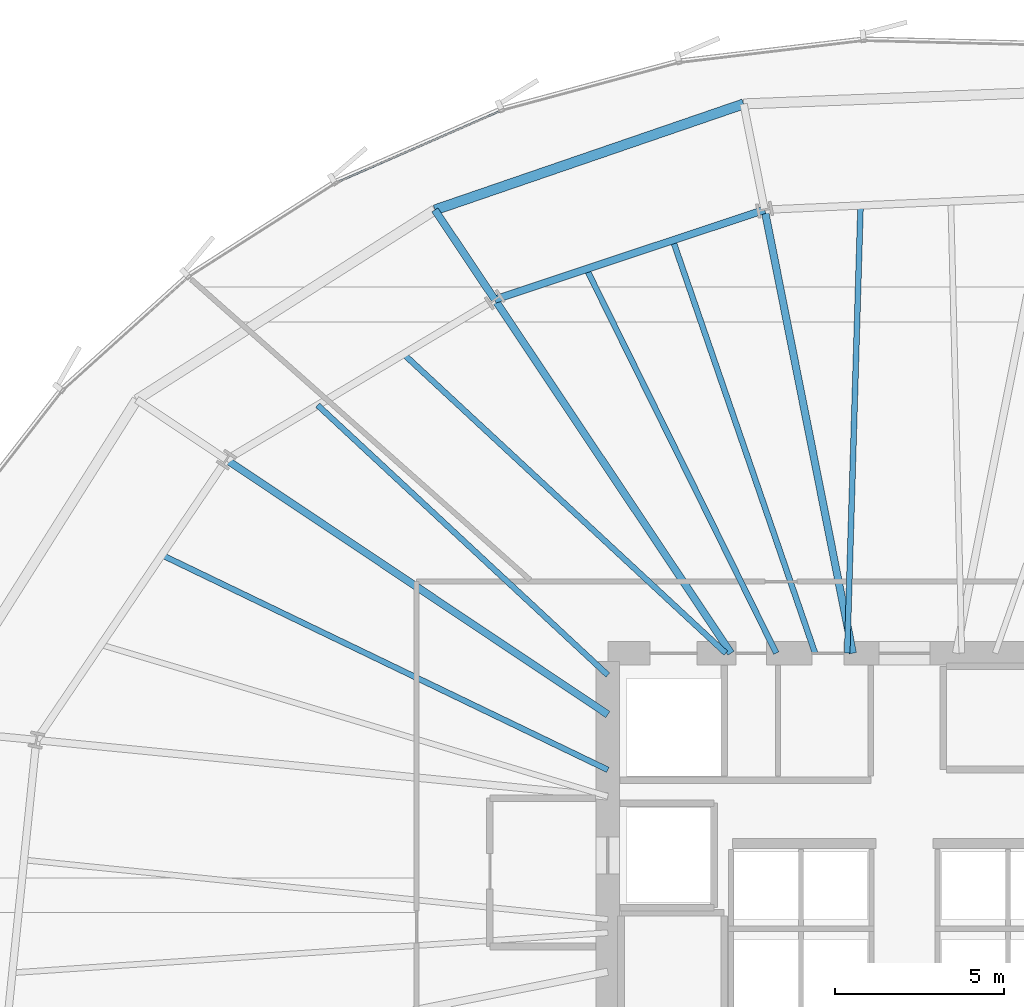
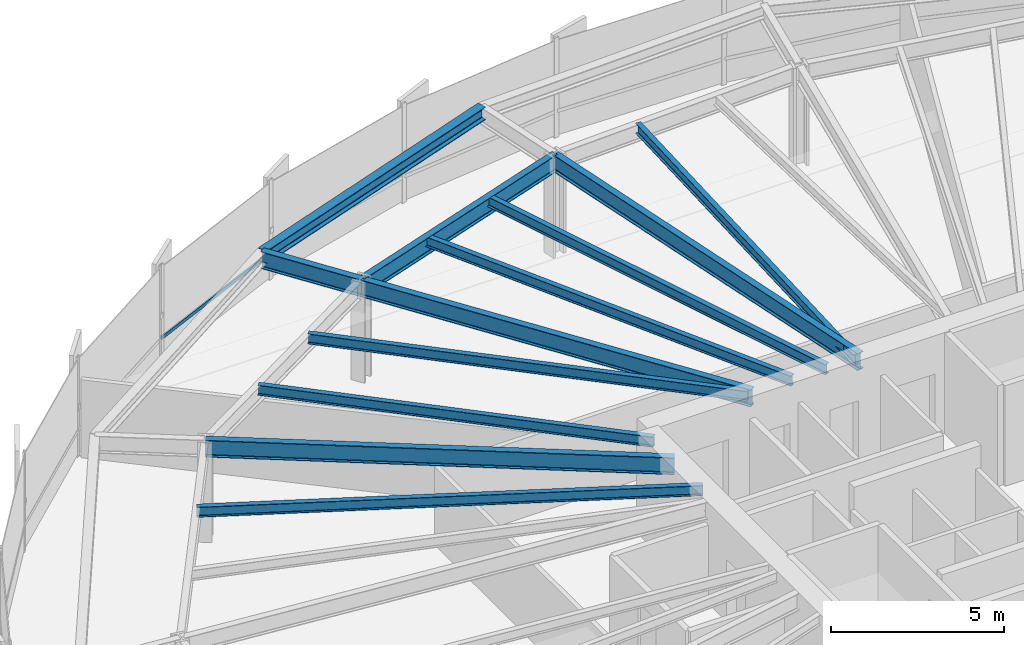
# One storey, part 20 of 39: 12 beams, 1 member, 1 element without a shape of its own.
"""IFC4 building model written with IfcOpenShell, lengths in metres."""

from ifc_helpers import new_model, si_unit, direction, frame, origin, origin_2d, place, context, subcontext, project, spatial, hollow_rectangle, i_section, extrude, source, transform, mapped, material, layer, layer_set, material_profile, profile_set, type_object, element, aggregate, save


model = new_model("IFC4")

# Units and contexts
model_context = context("Model", 3, precision=1e-05, world=origin(), true_north=direction((0.0, 1.0)))
body_context = subcontext(model_context, "Body", "Model", "MODEL_VIEW")
ifc_project = project(units=[si_unit("LENGTHUNIT", "METRE"), si_unit("AREAUNIT", "SQUARE_METRE"), si_unit("VOLUMEUNIT", "CUBIC_METRE"), si_unit("PLANEANGLEUNIT", "RADIAN"), si_unit("MASSUNIT", "GRAM", prefix="KILO"), si_unit("THERMODYNAMICTEMPERATUREUNIT", "KELVIN")], contexts=[model_context])

# Site, building, storey
site_placement = place(None, origin())
site = spatial("IfcSite", under=ifc_project, at=site_placement, CompositionType="ELEMENT")
building_placement = place(site_placement, origin())
building = spatial("IfcBuilding", under=site, at=building_placement, Name="Kethvar Cultural Tower", CompositionType="ELEMENT")
storey_placement = place(building_placement, frame((0.0, 0.0, 41.0)))
storey = spatial("IfcBuildingStorey", under=building, at=storey_placement, Name="L09", CompositionType="ELEMENT", Elevation=41.0)

# Beams
ifc_material_1 = material(Name="Steel S355J2", Category="steel")
ifc_material_profile_1 = material_profile(ifc_material_1, i_section(OverallWidth=0.219970703125, OverallDepth=0.60009765625, WebThickness=0.011962890625, FlangeThickness=0.01904296875, FilletRadius=0.02392578125, at=origin_2d()), Name="Steel S355J2 — IPE600")
ifc_profile_set_1 = profile_set([ifc_material_profile_1], Name="Steel S355J2 — IPE600")
beam_type_1 = type_object("IfcBeamType", Name="BM-IPE600", PredefinedType="BEAM", material=ifc_profile_set_1)
shared_shape_1 = source(origin(), body_context, "Body", "SweptSolid", [
    extrude(i_section(OverallWidth=0.219970703125, OverallDepth=0.60009765625, WebThickness=0.011962890625, FlangeThickness=0.01904296875, FilletRadius=0.02392578125, at=origin_2d()), origin(), (0.0, 0.0, 1.0), 3.199951171875),
])
beam_1_placement = place(storey_placement, frame((34.64599609375, 45.98974609375, 3.248046875), z_axis=(-0.555580212716, 0.831462943996, 0.0), x_axis=(-0.831462943996, -0.555580212716, 0.0)))
element("IfcBeam", 1, at=beam_1_placement, inside=storey, type_object=beam_type_1, Name="L09 Perimeter Cantilever Beam RC-06", PredefinedType="BEAM", context=body_context, shape_type="MappedRepresentation", body=[
    mapped(shared_shape_1, transform((0.0, 0.0, 0.0), scale=1.0)),
])
shared_shape_2 = source(origin(), body_context, "Body", "SweptSolid", [
    extrude(i_section(OverallWidth=0.219970703125, OverallDepth=0.60009765625, WebThickness=0.011962890625, FlangeThickness=0.01904296875, FilletRadius=0.02392578125, at=origin_2d()), origin(), (0.0, 0.0, 1.0), 13.41357421875),
])
beam_2_placement = place(storey_placement, frame((45.268310546875, 35.5, 3.248046875), z_axis=(-0.195079960025, 0.980787341474, 0.0), x_axis=(-0.980787341474, -0.195079960025, 0.0)))
element("IfcBeam", 2, at=beam_2_placement, inside=storey, type_object=beam_type_1, Name="L09 Primary Radial Beam RB-05", PredefinedType="BEAM", context=body_context, shape_type="MappedRepresentation", body=[
    mapped(shared_shape_2, transform((0.0, 0.0, 0.0), scale=1.0)),
])
shared_shape_3 = source(origin(), body_context, "Body", "SweptSolid", [
    extrude(i_section(OverallWidth=0.219970703125, OverallDepth=0.60009765625, WebThickness=0.011962890625, FlangeThickness=0.01904296875, FilletRadius=0.02392578125, at=origin_2d()), origin(), (0.0, 0.0, 1.0), 12.615966796875),
])
beam_3_placement = place(storey_placement, frame((41.655029296875, 35.5, 3.248046875), z_axis=(-0.555570723257, 0.831469284736, 0.0), x_axis=(-0.831469284736, -0.555570723257, 0.0)))
element("IfcBeam", 3, at=beam_3_placement, inside=storey, type_object=beam_type_1, Name="L09 Primary Radial Beam RB-06", PredefinedType="BEAM", context=body_context, shape_type="MappedRepresentation", body=[
    mapped(shared_shape_3, transform((0.0, 0.0, 0.0), scale=1.0)),
])
shared_shape_4 = source(origin(), body_context, "Body", "SweptSolid", [
    extrude(i_section(OverallWidth=0.219970703125, OverallDepth=0.60009765625, WebThickness=0.011962890625, FlangeThickness=0.01904296875, FilletRadius=0.02392578125, at=origin_2d()), origin(), (0.0, 0.0, 1.0), 13.60888671875),
])
beam_4_placement = place(storey_placement, frame((38.0, 33.679931640625, 3.248046875), z_axis=(-0.831467486755, 0.555573414113, 0.0), x_axis=(-0.555573414113, -0.831467486755, 0.0)))
element("IfcBeam", 4, at=beam_4_placement, inside=storey, type_object=beam_type_1, Name="L09 Primary Radial Beam RB-07", PredefinedType="BEAM", context=body_context, shape_type="MappedRepresentation", body=[
    mapped(shared_shape_4, transform((0.0, 0.0, 0.0), scale=1.0)),
])
ifc_material_profile_2 = material_profile(ifc_material_1, i_section(OverallWidth=0.169921875, OverallDepth=0.360107421875, WebThickness=0.008056640625, FlangeThickness=0.0126953125, FilletRadius=0.01806640625, at=origin_2d()), Name="Steel S355J2 — IPE360")
ifc_profile_set_2 = profile_set([ifc_material_profile_2], Name="Steel S355J2 — IPE360")
beam_type_2 = type_object("IfcBeamType", Name="BM-J360", PredefinedType="JOIST", material=ifc_profile_set_2)
shared_shape_5 = source(origin(), body_context, "Body", "SweptSolid", [
    extrude(i_section(OverallWidth=0.169921875, OverallDepth=0.360107421875, WebThickness=0.008056640625, FlangeThickness=0.0126953125, FilletRadius=0.01806640625, at=origin_2d()), origin(), (0.0, 0.0, 1.0), 13.287353515625),
])
beam_5_placement = place(storey_placement, frame((45.10009765625, 35.5, 3.367919921875), z_axis=(0.029912529234, 0.999552520178, 0.0), x_axis=(-0.999552520178, 0.029912529234, 0.0)))
element("IfcBeam", 5, at=beam_5_placement, inside=storey, type_object=beam_type_2, Name="L09 Composite Floor Joist J-04B", PredefinedType="JOIST", context=body_context, shape_type="MappedRepresentation", body=[
    mapped(shared_shape_5, transform((0.0, 0.0, 0.0), scale=1.0)),
])
shared_shape_6 = source(origin(), body_context, "Body", "SweptSolid", [
    extrude(i_section(OverallWidth=0.219970703125, OverallDepth=0.60009765625, WebThickness=0.011962890625, FlangeThickness=0.01904296875, FilletRadius=0.02392578125, at=origin_2d()), origin(), (0.0, 0.0, 1.0), 8.437744140625),
])
beam_6_placement = place(storey_placement, frame((42.651611328125, 48.65576171875, 3.248046875), z_axis=(-0.948772955115, -0.315958667618, 0.0), x_axis=(0.315958667618, -0.948772955115, 0.0)))
element("IfcBeam", 6, at=beam_6_placement, inside=storey, type_object=beam_type_1, Name="L09 Column Ring Tie Beam CR-05", PredefinedType="BEAM", context=body_context, shape_type="MappedRepresentation", body=[
    mapped(shared_shape_6, transform((0.0, 0.0, 0.0), scale=1.0)),
])
ifc_material_profile_3 = material_profile(ifc_material_1, i_section(OverallWidth=0.300048828125, OverallDepth=0.449951171875, WebThickness=0.013916015625, FlangeThickness=0.02587890625, FilletRadius=0.027099609375, at=origin_2d()), Name="Steel S355J2 — HEB450")
ifc_profile_set_3 = profile_set([ifc_material_profile_3], Name="Steel S355J2 — HEB450")
beam_type_3 = type_object("IfcBeamType", Name="BM-SP450", PredefinedType="SPANDREL", material=ifc_profile_set_3)
shared_shape_7 = source(origin(), body_context, "Body", "SweptSolid", [
    extrude(i_section(OverallWidth=0.300048828125, OverallDepth=0.449951171875, WebThickness=0.013916015625, FlangeThickness=0.02587890625, FilletRadius=0.027099609375, at=origin_2d()), origin(), (0.0, 0.0, 1.0), 9.683349609375),
])
beam_7_placement = place(storey_placement, frame((42.027099609375, 51.794189453125, 3.322998046875), z_axis=(-0.945832074112, -0.324656260652, 0.0), x_axis=(0.324656260652, -0.945832074112, 0.0)))
element("IfcBeam", 7, at=beam_7_placement, inside=storey, type_object=beam_type_3, Name="L09 Perimeter Spandrel Beam SP-05", PredefinedType="SPANDREL", context=body_context, shape_type="MappedRepresentation", body=[
    mapped(shared_shape_7, transform((0.0, 0.0, 0.0), scale=1.0)),
])
shared_shape_8 = source(origin(), body_context, "Body", "SweptSolid", [
    extrude(i_section(OverallWidth=0.169921875, OverallDepth=0.360107421875, WebThickness=0.008056640625, FlangeThickness=0.0126953125, FilletRadius=0.01806640625, at=origin_2d()), origin(), (0.0, 0.0, 1.0), 12.955322265625),
])
beam_8_placement = place(storey_placement, frame((44.148193359375, 35.5, 3.367919921875), z_axis=(-0.325619549533, 0.945500877293, 0.0), x_axis=(-0.945500877293, -0.325619549533, 0.0)))
element("IfcBeam", 8, at=beam_8_placement, inside=storey, type_object=beam_type_2, Name="L09 Composite Floor Joist J-05A", PredefinedType="JOIST", context=body_context, shape_type="MappedRepresentation", body=[
    mapped(shared_shape_8, transform((0.0, 0.0, 0.0), scale=1.0)),
])
shared_shape_9 = source(origin(), body_context, "Body", "SweptSolid", [
    extrude(i_section(OverallWidth=0.169921875, OverallDepth=0.360107421875, WebThickness=0.008056640625, FlangeThickness=0.0126953125, FilletRadius=0.01806640625, at=origin_2d()), origin(), (0.0, 0.0, 1.0), 12.710693359375),
])
beam_9_placement = place(storey_placement, frame((42.996826171875, 35.5, 3.367919921875), z_axis=(-0.442851992051, 0.896594731825, 0.0), x_axis=(-0.896594731825, -0.442851992051, 0.0)))
element("IfcBeam", 9, at=beam_9_placement, inside=storey, type_object=beam_type_2, Name="L09 Composite Floor Joist J-05B", PredefinedType="JOIST", context=body_context, shape_type="MappedRepresentation", body=[
    mapped(shared_shape_9, transform((0.0, 0.0, 0.0), scale=1.0)),
])
shared_shape_10 = source(origin(), body_context, "Body", "SweptSolid", [
    extrude(i_section(OverallWidth=0.169921875, OverallDepth=0.360107421875, WebThickness=0.008056640625, FlangeThickness=0.0126953125, FilletRadius=0.01806640625, at=origin_2d()), origin(), (0.0, 0.0, 1.0), 13.045166015625),
])
beam_10_placement = place(storey_placement, frame((41.5, 35.5, 3.367919921875), z_axis=(-0.732903465528, 0.680332646737, 0.0), x_axis=(-0.680332646737, -0.732903465528, 0.0)))
element("IfcBeam", 10, at=beam_10_placement, inside=storey, type_object=beam_type_2, Name="L09 Composite Floor Joist J-06A", PredefinedType="JOIST", context=body_context, shape_type="MappedRepresentation", body=[
    mapped(shared_shape_10, transform((0.0, 0.0, 0.0), scale=1.0)),
])
shared_shape_11 = source(origin(), body_context, "Body", "SweptSolid", [
    extrude(i_section(OverallWidth=0.169921875, OverallDepth=0.360107421875, WebThickness=0.008056640625, FlangeThickness=0.0126953125, FilletRadius=0.01806640625, at=origin_2d()), origin(), (0.0, 0.0, 1.0), 11.75537109375),
])
beam_11_placement = place(storey_placement, frame((38.0, 34.85009765625, 3.367919921875), z_axis=(-0.732290300234, 0.680992596276, 0.0), x_axis=(-0.680992596276, -0.732290300234, 0.0)))
element("IfcBeam", 11, at=beam_11_placement, inside=storey, type_object=beam_type_2, Name="L09 Composite Floor Joist J-06B", PredefinedType="JOIST", context=body_context, shape_type="MappedRepresentation", body=[
    mapped(shared_shape_11, transform((0.0, 0.0, 0.0), scale=1.0)),
])
shared_shape_12 = source(origin(), body_context, "Body", "SweptSolid", [
    extrude(i_section(OverallWidth=0.169921875, OverallDepth=0.360107421875, WebThickness=0.008056640625, FlangeThickness=0.0126953125, FilletRadius=0.01806640625, at=origin_2d()), origin(), (0.0, 0.0, 1.0), 14.687255859375),
])
beam_12_placement = place(storey_placement, frame((38.0, 32.038818359375, 3.367919921875), z_axis=(-0.900928984091, 0.433966548971, 0.0), x_axis=(-0.433966548971, -0.900928984091, 0.0)))
element("IfcBeam", 12, at=beam_12_placement, inside=storey, type_object=beam_type_2, Name="L09 Composite Floor Joist J-07A", PredefinedType="JOIST", context=body_context, shape_type="MappedRepresentation", body=[
    mapped(shared_shape_12, transform((0.0, 0.0, 0.0), scale=1.0)),
])

# Curtain wall, member
ifc_material_2 = material(Name="Aluminium 6063-T6", Category="aluminium")
ifc_layer = layer(ifc_material_2, 0.179931640625, Name="Aluminium 6063-T6", Category="aluminium")
ifc_layer_set = layer_set([ifc_layer], Name="Aluminium 6063-T6 (180 mm)")
curtain_wall_type = type_object("IfcCurtainWallType", Name="CW-SYS-02-Z1", PredefinedType="NOTDEFINED", material=ifc_layer_set)
curtain_wall_placement = place(storey_placement, origin())
curtain_wall = element("IfcCurtainWall", 13, at=curtain_wall_placement, inside=storey, type_object=curtain_wall_type, Name="L09 Curtain Wall Run 02", PredefinedType="NOTDEFINED")
ifc_material_profile_4 = material_profile(ifc_material_2, hollow_rectangle(XDim=0.054931640625, YDim=0.1201171875, WallThickness=0.00390625, at=origin_2d()), Name="Aluminium 6063-T6 — RHS120x55x4")
ifc_profile_set_4 = profile_set([ifc_material_profile_4], Name="Aluminium 6063-T6 — RHS120x55x4")
member_type = type_object("IfcMemberType", Name="CW-SYS-02-Z1-TRN", PredefinedType="USERDEFINED", material=ifc_profile_set_4)
shared_shape_13 = source(origin(), body_context, "Body", "SweptSolid", [
    extrude(hollow_rectangle(XDim=0.054931640625, YDim=0.1201171875, WallThickness=0.00390625, at=origin_2d()), origin(), (0.0, 0.0, 1.0), 5.275146484375),
])
member_placement = place(storey_placement, frame((34.807861328125, 51.5869140625, 0.949951171875), z_axis=(-0.91621149727, -0.400695011535, 0.0), x_axis=(0.400695011535, -0.91621149727, 0.0)))
member = element("IfcMember", 14, at=member_placement, type_object=member_type, Name="CW-L09-R02 Transom 6", ObjectType="TRANSOM", PredefinedType="USERDEFINED", context=body_context, shape_type="MappedRepresentation", body=[
    mapped(shared_shape_13, transform((0.0, 0.0, 0.0), scale=1.0)),
])
aggregate(curtain_wall, [member])

save(model, "model.ifc")
